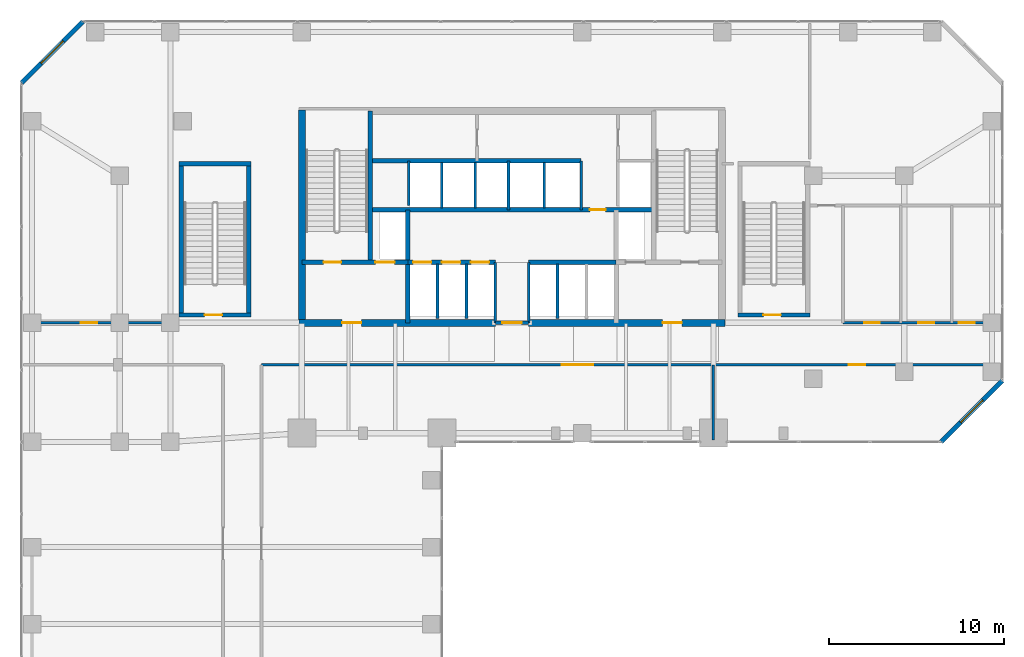
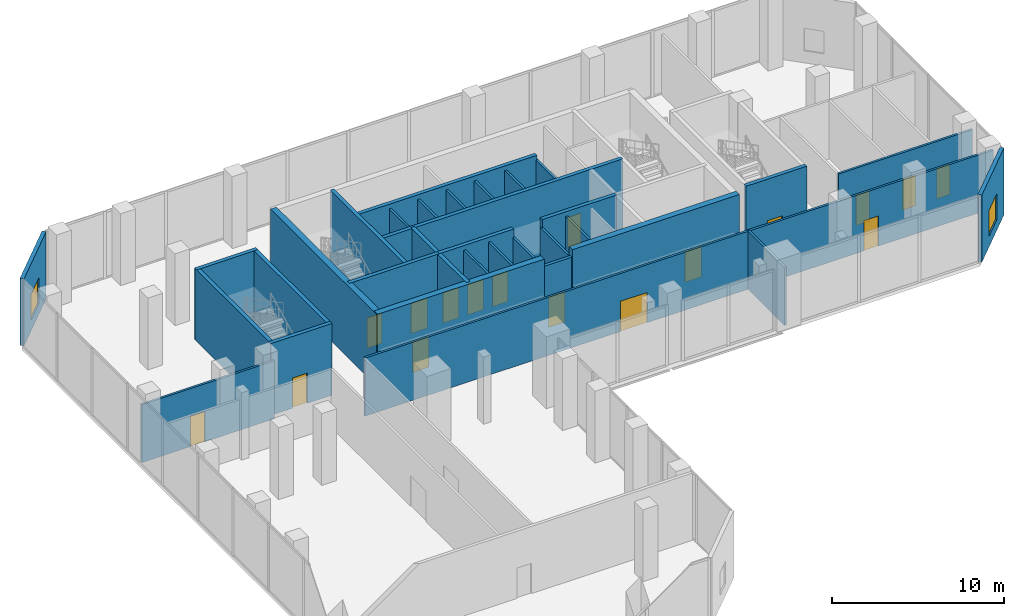
# One storey, part 21 of 24: 33 walls, 17 doors, 2 windows, 19 openings.
"""IFC4 building model written with IfcOpenShell, lengths in metres."""

from ifc_helpers import new_model, si_unit, direction, frame, frame_2d, origin, place, context, subcontext, project, spatial, rectangle, extrude, material, layer, layer_set, type_object, element, fill, save


model = new_model("IFC4")

# Units and contexts
model_context = context("Model", 3, precision=1e-05, world=origin(), true_north=direction((0.0, 1.0)))
body_context = subcontext(model_context, "Body", "Model", "MODEL_VIEW")
ifc_project = project(units=[si_unit("LENGTHUNIT", "METRE"), si_unit("AREAUNIT", "SQUARE_METRE"), si_unit("VOLUMEUNIT", "CUBIC_METRE"), si_unit("PLANEANGLEUNIT", "RADIAN"), si_unit("MASSUNIT", "GRAM", prefix="KILO")], contexts=[model_context])

# Site, building, storey
site_placement = place(None, origin())
site = spatial("IfcSite", under=ifc_project, at=site_placement, CompositionType="ELEMENT")
building_placement = place(site_placement, origin())
building = spatial("IfcBuilding", under=site, at=building_placement, Name="Catumbela Crestline Tower", CompositionType="ELEMENT")
storey_placement = place(building_placement, frame((0.0, 0.0, 6.0)))
storey = spatial("IfcBuildingStorey", under=building, at=storey_placement, Name="L01", CompositionType="ELEMENT", Elevation=6.0)

# Walls
ifc_material_1 = material(Name="Concrete C50/60", Category="concrete")
ifc_layer_1 = layer(ifc_material_1, 0.25, Name="Concrete C50/60")
ifc_layer_set_1 = layer_set([ifc_layer_1], Name="Concrete C50/60")
wall_type_1 = type_object("IfcWallType", Name="CW-250D", PredefinedType="SHEAR", material=ifc_layer_set_1)
wall_1_placement = place(storey_placement, frame((19.9, 34.25, 0.0), z_axis=(0.0, 0.0, 1.0), x_axis=(0.0, 1.0, 0.0)))
element("IfcWall", 1, at=wall_1_placement, inside=storey, type_object=wall_type_1, Name="L01 Structural Core Shear Wall WWEB", PredefinedType="SHEAR", context=body_context, shape_type="SweptSolid", body=[
    extrude(rectangle(XDim=8.65, YDim=0.25, at=frame_2d((4.325, 0.0))), origin(), (0.0, 0.0, 1.0), 5.1),
])
wall_2_placement = place(storey_placement, frame((22.05, 30.8, 0.0), z_axis=(0.0, 0.0, 1.0), x_axis=(0.0, 1.0, 0.0)))
element("IfcWall", 2, at=wall_2_placement, inside=storey, type_object=wall_type_1, Name="L01 Structural Core Shear Wall FFW", PredefinedType="SHEAR", context=body_context, shape_type="SweptSolid", body=[
    extrude(rectangle(XDim=6.45, YDim=0.25, at=frame_2d((3.225, 0.0))), origin(), (0.0, 0.0, 1.0), 5.1),
])

# Wall, openings, doors
wall_3_placement = place(storey_placement, frame((16.0, 34.25, 0.0), z_axis=(0.0, 0.0, 1.0), x_axis=(1.0, 0.0, 0.0)))
wall_3 = element("IfcWall", 3, at=wall_3_placement, inside=storey, type_object=wall_type_1, Name="L01 Structural Core Shear Wall ST1S", PredefinedType="SHEAR", context=body_context, shape_type="SweptSolid", body=[
    extrude(rectangle(XDim=6.05, YDim=0.25, at=frame_2d((3.025, 0.0))), origin(), (0.0, 0.0, 1.0), 5.1),
])
opening_1_placement = place(wall_3_placement, frame((1.25, 0.0, 0.0)))
opening_1 = element("IfcOpeningElement", 4, at=opening_1_placement, cuts=wall_3, Name="Opening DF9-100", PredefinedType="OPENING", context=body_context, shape_type="SweptSolid", body=[
    extrude(rectangle(XDim=1.0, YDim=2.15, at=frame_2d((0.5, 1.075))), frame((0.0, 0.135, 0.0), z_axis=(0.0, -1.0, 0.0), x_axis=(1.0, 0.0, 0.0)), (0.0, 0.0, 1.0), 0.27),
])
opening_2_placement = place(wall_3_placement, frame((4.2, 0.0, 0.0)))
opening_2 = element("IfcOpeningElement", 5, at=opening_2_placement, cuts=wall_3, Name="Opening LD-110", PredefinedType="OPENING", context=body_context, shape_type="SweptSolid", body=[
    extrude(rectangle(XDim=1.1, YDim=2.15, at=frame_2d((0.55, 1.075))), frame((0.0, 0.135, 0.0), z_axis=(0.0, -1.0, 0.0), x_axis=(1.0, 0.0, 0.0)), (0.0, 0.0, 1.0), 0.27),
])
ifc_material_2 = material(Name="Stainless steel EN 1.4401", Category="steel")
door_type_1 = type_object("IfcDoorType", Name="DF9-100", OperationType="NOTDEFINED", PredefinedType="DOOR", material=ifc_material_2)
door_1_placement = place(opening_1_placement, origin())
door_1 = element("IfcDoor", 6, at=door_1_placement, inside=storey, type_object=door_type_1, Name="L01 Interior Door DR-L01-ST01", OperationType="SINGLE_SWING_LEFT", OverallHeight=2.15, OverallWidth=1.0, PredefinedType="DOOR", context=body_context, shape_type="SweptSolid", body=[
    extrude(rectangle(XDim=1.0, YDim=2.15, at=frame_2d((0.5, 1.075))), frame((0.0, 0.025, 0.0), z_axis=(0.0, -1.0, 0.0), x_axis=(1.0, 0.0, 0.0)), (0.0, 0.0, 1.0), 0.05),
])
fill(opening_1, door_1)
door_type_2 = type_object("IfcDoorType", Name="LD-110", OperationType="NOTDEFINED", PredefinedType="DOOR", material=ifc_material_2)
door_2_placement = place(opening_2_placement, origin())
door_2 = element("IfcDoor", 7, at=door_2_placement, inside=storey, type_object=door_type_2, Name="L01 Lift Landing Sliding Door FL-01", OperationType="DOUBLE_DOOR_SLIDING", OverallHeight=2.15, OverallWidth=1.1, PredefinedType="DOOR", context=body_context, shape_type="SweptSolid", body=[
    extrude(rectangle(XDim=1.1, YDim=2.15, at=frame_2d((0.55, 1.075))), frame((0.0, 0.025, 0.0), z_axis=(0.0, -1.0, 0.0), x_axis=(1.0, 0.0, 0.0)), (0.0, 0.0, 1.0), 0.05),
])
fill(opening_2, door_2)

wall_4_placement = place(storey_placement, frame((22.05, 34.25, 0.0), z_axis=(0.0, 0.0, 1.0), x_axis=(1.0, 0.0, 0.0)))
wall_4 = element("IfcWall", 8, at=wall_4_placement, inside=storey, type_object=wall_type_1, Name="L01 Structural Core Shear Wall LIFTS-W", PredefinedType="SHEAR", context=body_context, shape_type="SweptSolid", body=[
    extrude(rectangle(XDim=5.0, YDim=0.25, at=frame_2d((2.5, 0.0))), origin(), (0.0, 0.0, 1.0), 5.1),
])
opening_3_placement = place(wall_4_placement, frame((0.3, 0.0, 0.0)))
opening_3 = element("IfcOpeningElement", 9, at=opening_3_placement, cuts=wall_4, Name="Opening LD-105", PredefinedType="OPENING", context=body_context, shape_type="SweptSolid", body=[
    extrude(rectangle(XDim=1.05, YDim=2.15, at=frame_2d((0.525, 1.075))), frame((0.0, 0.135, 0.0), z_axis=(0.0, -1.0, 0.0), x_axis=(1.0, 0.0, 0.0)), (0.0, 0.0, 1.0), 0.27),
])
opening_4_placement = place(wall_4_placement, frame((1.95, 0.0, 0.0)))
opening_4 = element("IfcOpeningElement", 10, at=opening_4_placement, cuts=wall_4, Name="Opening LD-105", PredefinedType="OPENING", context=body_context, shape_type="SweptSolid", body=[
    extrude(rectangle(XDim=1.05, YDim=2.15, at=frame_2d((0.525, 1.075))), frame((0.0, 0.135, 0.0), z_axis=(0.0, -1.0, 0.0), x_axis=(1.0, 0.0, 0.0)), (0.0, 0.0, 1.0), 0.27),
])
opening_5_placement = place(wall_4_placement, frame((3.6, 0.0, 0.0)))
opening_5 = element("IfcOpeningElement", 11, at=opening_5_placement, cuts=wall_4, Name="Opening LD-105", PredefinedType="OPENING", context=body_context, shape_type="SweptSolid", body=[
    extrude(rectangle(XDim=1.05, YDim=2.15, at=frame_2d((0.525, 1.075))), frame((0.0, 0.135, 0.0), z_axis=(0.0, -1.0, 0.0), x_axis=(1.0, 0.0, 0.0)), (0.0, 0.0, 1.0), 0.27),
])
door_type_3 = type_object("IfcDoorType", Name="LD-105", OperationType="NOTDEFINED", PredefinedType="DOOR", material=ifc_material_2)
door_3_placement = place(opening_3_placement, origin())
door_3 = element("IfcDoor", 12, at=door_3_placement, inside=storey, type_object=door_type_3, Name="L01 Lift Landing Sliding Door PL-L1", OperationType="DOUBLE_DOOR_SLIDING", OverallHeight=2.15, OverallWidth=1.05, PredefinedType="DOOR", context=body_context, shape_type="SweptSolid", body=[
    extrude(rectangle(XDim=1.05, YDim=2.15, at=frame_2d((0.525, 1.075))), frame((0.0, 0.025, 0.0), z_axis=(0.0, -1.0, 0.0), x_axis=(1.0, 0.0, 0.0)), (0.0, 0.0, 1.0), 0.05),
])
fill(opening_3, door_3)
door_4_placement = place(opening_4_placement, origin())
door_4 = element("IfcDoor", 13, at=door_4_placement, inside=storey, type_object=door_type_3, Name="L01 Lift Landing Sliding Door PL-L2", OperationType="DOUBLE_DOOR_SLIDING", OverallHeight=2.15, OverallWidth=1.05, PredefinedType="DOOR", context=body_context, shape_type="SweptSolid", body=[
    extrude(rectangle(XDim=1.05, YDim=2.15, at=frame_2d((0.525, 1.075))), frame((0.0, 0.025, 0.0), z_axis=(0.0, -1.0, 0.0), x_axis=(1.0, 0.0, 0.0)), (0.0, 0.0, 1.0), 0.05),
])
fill(opening_4, door_4)
door_5_placement = place(opening_5_placement, origin())
door_5 = element("IfcDoor", 14, at=door_5_placement, inside=storey, type_object=door_type_3, Name="L01 Lift Landing Sliding Door PL-L3", OperationType="DOUBLE_DOOR_SLIDING", OverallHeight=2.15, OverallWidth=1.05, PredefinedType="DOOR", context=body_context, shape_type="SweptSolid", body=[
    extrude(rectangle(XDim=1.05, YDim=2.15, at=frame_2d((0.525, 1.075))), frame((0.0, 0.025, 0.0), z_axis=(0.0, -1.0, 0.0), x_axis=(1.0, 0.0, 0.0)), (0.0, 0.0, 1.0), 0.05),
])
fill(opening_5, door_5)

# Wall
wall_5_placement = place(storey_placement, frame((28.95, 34.25, 0.0), z_axis=(0.0, 0.0, 1.0), x_axis=(1.0, 0.0, 0.0)))
element("IfcWall", 15, at=wall_5_placement, inside=storey, type_object=wall_type_1, Name="L01 Structural Core Shear Wall LIFTS-E", PredefinedType="SHEAR", context=body_context, shape_type="SweptSolid", body=[
    extrude(rectangle(XDim=5.0, YDim=0.25, at=frame_2d((2.5, 0.0))), origin(), (0.0, 0.0, 1.0), 5.1),
])

# Wall, opening, door
wall_6_placement = place(storey_placement, frame((19.9, 37.25, 0.0), z_axis=(0.0, 0.0, 1.0), x_axis=(1.0, 0.0, 0.0)))
wall_6 = element("IfcWall", 16, at=wall_6_placement, inside=storey, type_object=wall_type_1, Name="L01 Structural Core Shear Wall LIFTN", PredefinedType="SHEAR", context=body_context, shape_type="SweptSolid", body=[
    extrude(rectangle(XDim=16.2, YDim=0.25, at=frame_2d((8.1, 0.0))), origin(), (0.0, 0.0, 1.0), 5.1),
])
opening_6_placement = place(wall_6_placement, frame((12.55, 0.0, 0.0)))
opening_6 = element("IfcOpeningElement", 17, at=opening_6_placement, cuts=wall_6, Name="Opening DF9-090", PredefinedType="OPENING", context=body_context, shape_type="SweptSolid", body=[
    extrude(rectangle(XDim=0.9, YDim=2.15, at=frame_2d((0.45, 1.075))), frame((0.0, 0.135, 0.0), z_axis=(0.0, -1.0, 0.0), x_axis=(1.0, 0.0, 0.0)), (0.0, 0.0, 1.0), 0.27),
])
door_type_4 = type_object("IfcDoorType", Name="DF9-090", OperationType="NOTDEFINED", PredefinedType="DOOR", material=ifc_material_2)
door_6_placement = place(opening_6_placement, origin())
door_6 = element("IfcDoor", 18, at=door_6_placement, inside=storey, type_object=door_type_4, Name="L01 Interior Door DR-L01-CPAS1", OperationType="SINGLE_SWING_LEFT", OverallHeight=2.15, OverallWidth=0.9, PredefinedType="DOOR", context=body_context, shape_type="SweptSolid", body=[
    extrude(rectangle(XDim=0.9, YDim=2.15, at=frame_2d((0.45, 1.075))), frame((0.0, 0.025, 0.0), z_axis=(0.0, -1.0, 0.0), x_axis=(1.0, 0.0, 0.0)), (0.0, 0.0, 1.0), 0.05),
])
fill(opening_6, door_6)

# Walls
wall_7_placement = place(storey_placement, frame((19.9, 40.05, 0.0), z_axis=(0.0, 0.0, 1.0), x_axis=(1.0, 0.0, 0.0)))
element("IfcWall", 19, at=wall_7_placement, inside=storey, type_object=wall_type_1, Name="L01 Structural Core Shear Wall COREN", PredefinedType="SHEAR", context=body_context, shape_type="SweptSolid", body=[
    extrude(rectangle(XDim=12.05, YDim=0.25, at=frame_2d((6.025, 0.0))), origin(), (0.0, 0.0, 1.0), 5.1),
])
for number, where, z_axis, x_axis, name in (
    (20, (9.12, 31.15, 0.0), (0.0, 0.0, 1.0), (0.0, 1.0, 0.0), "L01 Structural Core Shear Wall ST3W"),
    (21, (12.98, 31.15, 0.0), (0.0, 0.0, 1.0), (0.0, 1.0, 0.0), "L01 Structural Core Shear Wall ST3E"),
):
    element("IfcWall", number, at=place(storey_placement, frame(where, z_axis=z_axis, x_axis=x_axis)), inside=storey, type_object=wall_type_1, Name=name, PredefinedType="SHEAR", context=body_context, shape_type="SweptSolid", body=[
        extrude(rectangle(XDim=8.8, YDim=0.25, at=frame_2d((4.4, 0.0))), origin(), (0.0, 0.0, 1.0), 5.1),
    ])
wall_8_placement = place(storey_placement, frame((9.0, 39.88, 0.0), z_axis=(0.0, 0.0, 1.0), x_axis=(1.0, 0.0, 0.0)))
element("IfcWall", 22, at=wall_8_placement, inside=storey, type_object=wall_type_1, Name="L01 Structural Core Shear Wall ST3N", PredefinedType="SHEAR", context=body_context, shape_type="SweptSolid", body=[
    extrude(rectangle(XDim=4.1, YDim=0.25, at=frame_2d((2.05, 0.0))), origin(), (0.0, 0.0, 1.0), 5.1),
])

# Wall, opening, door
wall_9_placement = place(storey_placement, frame((9.0, 31.25, 0.0), z_axis=(0.0, 0.0, 1.0), x_axis=(1.0, 0.0, 0.0)))
wall_9 = element("IfcWall", 23, at=wall_9_placement, inside=storey, type_object=wall_type_1, Name="L01 Structural Core Shear Wall ST3S", PredefinedType="SHEAR", context=body_context, shape_type="SweptSolid", body=[
    extrude(rectangle(XDim=4.1, YDim=0.25, at=frame_2d((2.05, 0.0))), origin(), (0.0, 0.0, 1.0), 5.1),
])
opening_7_placement = place(wall_9_placement, frame((1.45, 0.0, 0.0)))
opening_7 = element("IfcOpeningElement", 24, at=opening_7_placement, cuts=wall_9, Name="Opening DF9-100", PredefinedType="OPENING", context=body_context, shape_type="SweptSolid", body=[
    extrude(rectangle(XDim=1.0, YDim=2.15, at=frame_2d((0.5, 1.075))), frame((0.0, 0.135, 0.0), z_axis=(0.0, -1.0, 0.0), x_axis=(1.0, 0.0, 0.0)), (0.0, 0.0, 1.0), 0.27),
])
door_7_placement = place(opening_7_placement, origin())
door_7 = element("IfcDoor", 25, at=door_7_placement, inside=storey, type_object=door_type_1, Name="L01 Interior Door DR-L01-ST03", OperationType="SINGLE_SWING_LEFT", OverallHeight=2.15, OverallWidth=1.0, PredefinedType="DOOR", context=body_context, shape_type="SweptSolid", body=[
    extrude(rectangle(XDim=1.0, YDim=2.15, at=frame_2d((0.5, 1.075))), frame((0.0, 0.025, 0.0), z_axis=(0.0, -1.0, 0.0), x_axis=(1.0, 0.0, 0.0)), (0.0, 0.0, 1.0), 0.05),
])
fill(opening_7, door_7)

wall_10_placement = place(storey_placement, frame((40.9, 31.25, 0.0), z_axis=(0.0, 0.0, 1.0), x_axis=(1.0, 0.0, 0.0)))
wall_10 = element("IfcWall", 26, at=wall_10_placement, inside=storey, type_object=wall_type_1, Name="L01 Structural Core Shear Wall ST4S", PredefinedType="SHEAR", context=body_context, shape_type="SweptSolid", body=[
    extrude(rectangle(XDim=4.1, YDim=0.25, at=frame_2d((2.05, 0.0))), origin(), (0.0, 0.0, 1.0), 5.1),
])
opening_8_placement = place(wall_10_placement, frame((1.45, 0.0, 0.0)))
opening_8 = element("IfcOpeningElement", 27, at=opening_8_placement, cuts=wall_10, Name="Opening DF9-100", PredefinedType="OPENING", context=body_context, shape_type="SweptSolid", body=[
    extrude(rectangle(XDim=1.0, YDim=2.15, at=frame_2d((0.5, 1.075))), frame((0.0, 0.135, 0.0), z_axis=(0.0, -1.0, 0.0), x_axis=(1.0, 0.0, 0.0)), (0.0, 0.0, 1.0), 0.27),
])
door_8_placement = place(opening_8_placement, origin())
door_8 = element("IfcDoor", 28, at=door_8_placement, inside=storey, type_object=door_type_1, Name="L01 Interior Door DR-L01-ST04", OperationType="SINGLE_SWING_RIGHT", OverallHeight=2.15, OverallWidth=1.0, PredefinedType="DOOR", context=body_context, shape_type="SweptSolid", body=[
    extrude(rectangle(XDim=1.0, YDim=2.15, at=frame_2d((0.5, 1.075))), frame((0.0, 0.025, 0.0), z_axis=(0.0, -1.0, 0.0), x_axis=(1.0, 0.0, 0.0)), (0.0, 0.0, 1.0), 0.05),
])
fill(opening_8, door_8)

# Wall
ifc_material_3 = material(Name="Concrete C60/75", Category="concrete")
ifc_layer_2 = layer(ifc_material_3, 0.4, Name="Concrete C60/75")
ifc_layer_set_2 = layer_set([ifc_layer_2], Name="Concrete C60/75")
wall_type_2 = type_object("IfcWallType", Name="CW-400A", PredefinedType="SHEAR", material=ifc_layer_set_2)
wall_11_placement = place(storey_placement, frame((16.0, 30.65, 0.0), z_axis=(0.0, 0.0, 1.0), x_axis=(0.0, 1.0, 0.0)))
element("IfcWall", 29, at=wall_11_placement, inside=storey, type_object=wall_type_2, Name="L01 Structural Core Shear Wall W", PredefinedType="SHEAR", context=body_context, shape_type="SweptSolid", body=[
    extrude(rectangle(XDim=12.3, YDim=0.4, at=frame_2d((6.15, 0.0))), origin(), (0.0, 0.0, 1.0), 5.1),
])

# Wall, opening, door
wall_12_placement = place(storey_placement, frame((15.85, 30.8, 0.0), z_axis=(0.0, 0.0, 1.0), x_axis=(1.0, 0.0, 0.0)))
wall_12 = element("IfcWall", 30, at=wall_12_placement, inside=storey, type_object=wall_type_2, Name="L01 Structural Core Shear Wall SW", PredefinedType="SHEAR", context=body_context, shape_type="SweptSolid", body=[
    extrude(rectangle(XDim=11.2, YDim=0.4, at=frame_2d((5.6, 0.0))), origin(), (0.0, 0.0, 1.0), 5.1),
])
opening_9_placement = place(wall_12_placement, frame((2.45, 0.0, 0.0)))
opening_9 = element("IfcOpeningElement", 31, at=opening_9_placement, cuts=wall_12, Name="Opening DF9-110", PredefinedType="OPENING", context=body_context, shape_type="SweptSolid", body=[
    extrude(rectangle(XDim=1.1, YDim=2.15, at=frame_2d((0.55, 1.075))), frame((0.0, 0.21, 0.0), z_axis=(0.0, -1.0, 0.0), x_axis=(1.0, 0.0, 0.0)), (0.0, 0.0, 1.0), 0.42),
])
door_type_5 = type_object("IfcDoorType", Name="DF9-110", OperationType="NOTDEFINED", PredefinedType="DOOR", material=ifc_material_2)
door_9_placement = place(opening_9_placement, origin())
door_9 = element("IfcDoor", 32, at=door_9_placement, inside=storey, type_object=door_type_5, Name="L01 Interior Door DR-L01-FFW-S", OperationType="SINGLE_SWING_LEFT", OverallHeight=2.15, OverallWidth=1.1, PredefinedType="DOOR", context=body_context, shape_type="SweptSolid", body=[
    extrude(rectangle(XDim=1.1, YDim=2.15, at=frame_2d((0.55, 1.075))), frame((0.0, 0.025, 0.0), z_axis=(0.0, -1.0, 0.0), x_axis=(1.0, 0.0, 0.0)), (0.0, 0.0, 1.0), 0.05),
])
fill(opening_9, door_9)

wall_13_placement = place(storey_placement, frame((28.95, 30.8, 0.0), z_axis=(0.0, 0.0, 1.0), x_axis=(1.0, 0.0, 0.0)))
wall_13 = element("IfcWall", 33, at=wall_13_placement, inside=storey, type_object=wall_type_2, Name="L01 Structural Core Shear Wall SE", PredefinedType="SHEAR", context=body_context, shape_type="SweptSolid", body=[
    extrude(rectangle(XDim=11.2, YDim=0.4, at=frame_2d((5.6, 0.0))), origin(), (0.0, 0.0, 1.0), 5.1),
])
opening_10_placement = place(wall_13_placement, frame((7.65, 0.0, 0.0)))
opening_10 = element("IfcOpeningElement", 34, at=opening_10_placement, cuts=wall_13, Name="Opening DF9-110", PredefinedType="OPENING", context=body_context, shape_type="SweptSolid", body=[
    extrude(rectangle(XDim=1.1, YDim=2.15, at=frame_2d((0.55, 1.075))), frame((0.0, 0.21, 0.0), z_axis=(0.0, -1.0, 0.0), x_axis=(1.0, 0.0, 0.0)), (0.0, 0.0, 1.0), 0.42),
])
door_10_placement = place(opening_10_placement, origin())
door_10 = element("IfcDoor", 35, at=door_10_placement, inside=storey, type_object=door_type_5, Name="L01 Interior Door DR-L01-FFE-S", OperationType="SINGLE_SWING_RIGHT", OverallHeight=2.15, OverallWidth=1.1, PredefinedType="DOOR", context=body_context, shape_type="SweptSolid", body=[
    extrude(rectangle(XDim=1.1, YDim=2.15, at=frame_2d((0.55, 1.075))), frame((0.0, 0.025, 0.0), z_axis=(0.0, -1.0, 0.0), x_axis=(1.0, 0.0, 0.0)), (0.0, 0.0, 1.0), 0.05),
])
fill(opening_10, door_10)

ifc_material_4 = material(Name="Acoustic gypsum and mineral-wool partition")
ifc_layer_3 = layer(ifc_material_4, 0.2, Name="Acoustic gypsum and mineral-wool partition")
ifc_layer_set_3 = layer_set([ifc_layer_3], Name="Acoustic gypsum and mineral-wool partition")
wall_type_3 = type_object("IfcWallType", Name="WC-200", PredefinedType="PARTITIONING", material=ifc_layer_set_3)
wall_14_placement = place(storey_placement, frame((27.05, 30.8, 0.0), z_axis=(0.0, 0.0, 1.0), x_axis=(1.0, 0.0, 0.0)))
wall_14 = element("IfcWall", 36, at=wall_14_placement, inside=storey, type_object=wall_type_3, Name="L01 Interior Partition PW-L01-CLOBS", PredefinedType="PARTITIONING", context=body_context, shape_type="SweptSolid", body=[
    extrude(rectangle(XDim=1.9, YDim=0.2, at=frame_2d((0.95, 0.0))), origin(), (0.0, 0.0, 1.0), 4.51),
])
opening_11_placement = place(wall_14_placement, frame((0.4, 0.0, 0.0)))
opening_11 = element("IfcOpeningElement", 37, at=opening_11_placement, cuts=wall_14, Name="Opening DF9-110", PredefinedType="OPENING", context=body_context, shape_type="SweptSolid", body=[
    extrude(rectangle(XDim=1.1, YDim=2.15, at=frame_2d((0.55, 1.075))), frame((0.0, 0.11, 0.0), z_axis=(0.0, -1.0, 0.0), x_axis=(1.0, 0.0, 0.0)), (0.0, 0.0, 1.0), 0.22),
])
door_11_placement = place(opening_11_placement, origin())
door_11 = element("IfcDoor", 38, at=door_11_placement, inside=storey, type_object=door_type_5, Name="L01 Interior Door DR-L01-CLOBS", OperationType="SINGLE_SWING_LEFT", OverallHeight=2.15, OverallWidth=1.1, PredefinedType="DOOR", context=body_context, shape_type="SweptSolid", body=[
    extrude(rectangle(XDim=1.1, YDim=2.15, at=frame_2d((0.55, 1.075))), frame((0.0, 0.025, 0.0), z_axis=(0.0, -1.0, 0.0), x_axis=(1.0, 0.0, 0.0)), (0.0, 0.0, 1.0), 0.05),
])
fill(opening_11, door_11)

# Wall, opening, window
ifc_material_5 = material(Name="Angolan grey-ochre granite", Category="masonry")
ifc_layer_4 = layer(ifc_material_5, 0.25, Name="Angolan grey-ochre granite")
ifc_layer_set_4 = layer_set([ifc_layer_4], Name="Angolan grey-ochre granite")
wall_type_4 = type_object("IfcWallType", Name="WE-250", PredefinedType="STANDARD", material=ifc_layer_set_4)
wall_15_placement = place(storey_placement, frame((52.5, 24.0, 0.0), z_axis=(0.0, 0.0, 1.0), x_axis=(0.707106781187, 0.707106781187, 0.0)))
wall_15 = element("IfcWall", 39, at=wall_15_placement, inside=storey, type_object=wall_type_4, Name="L01 Granite Punched Window Wall 4-1", PredefinedType="STANDARD", context=body_context, shape_type="SweptSolid", body=[
    extrude(rectangle(XDim=4.9497, YDim=0.25, at=frame_2d((2.4748, 0.0))), origin(), (0.0, 0.0, 1.0), 4.77),
])
opening_12_placement = place(wall_15_placement, frame((1.5749, 0.0, 0.75)))
opening_12 = element("IfcOpeningElement", 40, at=opening_12_placement, cuts=wall_15, Name="Opening WN-01", PredefinedType="OPENING", context=body_context, shape_type="SweptSolid", body=[
    extrude(rectangle(XDim=1.8, YDim=1.85, at=frame_2d((0.9, 0.925))), frame((0.0, 0.135, 0.0), z_axis=(0.0, -1.0, 0.0), x_axis=(1.0, 0.0, 0.0)), (0.0, 0.0, 1.0), 0.27),
])
ifc_material_6 = material(Name="Low-E laminated solar-control double glazing", Category="glass")
window_type = type_object("IfcWindowType", Name="WF-1800", PartitioningType="SINGLE_PANEL", PredefinedType="WINDOW", material=ifc_material_6)
window_1_placement = place(opening_12_placement, origin())
window_1 = element("IfcWindow", 41, at=window_1_placement, inside=storey, type_object=window_type, Name="L01 Facade Vision Window 27", OverallHeight=1.85, OverallWidth=1.8, PartitioningType="SINGLE_PANEL", PredefinedType="WINDOW", context=body_context, shape_type="SweptSolid", body=[
    extrude(rectangle(XDim=1.8, YDim=1.85, at=frame_2d((0.9, 0.925))), frame((0.0, 0.03, 0.0), z_axis=(0.0, -1.0, 0.0), x_axis=(1.0, 0.0, 0.0)), (0.0, 0.0, 1.0), 0.06),
])
fill(opening_12, window_1)

wall_16_placement = place(storey_placement, frame((3.5, 48.0, 0.0), z_axis=(0.0, 0.0, 1.0), x_axis=(-0.707106781187, -0.707106781187, 0.0)))
wall_16 = element("IfcWall", 42, at=wall_16_placement, inside=storey, type_object=wall_type_4, Name="L01 Granite Punched Window Wall 8-1", PredefinedType="STANDARD", context=body_context, shape_type="SweptSolid", body=[
    extrude(rectangle(XDim=4.9497, YDim=0.25, at=frame_2d((2.4748, 0.0))), origin(), (0.0, 0.0, 1.0), 4.77),
])
opening_13_placement = place(wall_16_placement, frame((1.5749, 0.0, 0.75)))
opening_13 = element("IfcOpeningElement", 43, at=opening_13_placement, cuts=wall_16, Name="Opening WN-01", PredefinedType="OPENING", context=body_context, shape_type="SweptSolid", body=[
    extrude(rectangle(XDim=1.8, YDim=1.85, at=frame_2d((0.9, 0.925))), frame((0.0, 0.135, 0.0), z_axis=(0.0, -1.0, 0.0), x_axis=(1.0, 0.0, 0.0)), (0.0, 0.0, 1.0), 0.27),
])
window_2_placement = place(opening_13_placement, origin())
window_2 = element("IfcWindow", 44, at=window_2_placement, inside=storey, type_object=window_type, Name="L01 Facade Vision Window 29", OverallHeight=1.85, OverallWidth=1.8, PartitioningType="SINGLE_PANEL", PredefinedType="WINDOW", context=body_context, shape_type="SweptSolid", body=[
    extrude(rectangle(XDim=1.8, YDim=1.85, at=frame_2d((0.9, 0.925))), frame((0.0, 0.03, 0.0), z_axis=(0.0, -1.0, 0.0), x_axis=(1.0, 0.0, 0.0)), (0.0, 0.0, 1.0), 0.06),
])
fill(opening_13, window_2)

# Wall, openings, doors
ifc_layer_5 = layer(ifc_material_4, 0.15, Name="Acoustic gypsum and mineral-wool partition")
ifc_layer_set_5 = layer_set([ifc_layer_5], Name="Acoustic gypsum and mineral-wool partition")
wall_type_5 = type_object("IfcWallType", Name="WP-150", PredefinedType="PARTITIONING", material=ifc_layer_set_5)
wall_17_placement = place(storey_placement, frame((46.9, 30.8, 0.0), z_axis=(0.0, 0.0, 1.0), x_axis=(1.0, 0.0, 0.0)))
wall_17 = element("IfcWall", 45, at=wall_17_placement, inside=storey, type_object=wall_type_5, Name="L01 Interior Partition PW-L01-WC1", PredefinedType="PARTITIONING", context=body_context, shape_type="SweptSolid", body=[
    extrude(rectangle(XDim=9.0, YDim=0.15, at=frame_2d((4.5, 0.0))), origin(), (0.0, 0.0, 1.0), 4.12),
])
opening_14_placement = place(wall_17_placement, frame((1.2, 0.0, 0.0)))
opening_14 = element("IfcOpeningElement", 46, at=opening_14_placement, cuts=wall_17, Name="Opening DI-090", PredefinedType="OPENING", context=body_context, shape_type="SweptSolid", body=[
    extrude(rectangle(XDim=0.9, YDim=2.15, at=frame_2d((0.45, 1.075))), frame((0.0, 0.085, 0.0), z_axis=(0.0, -1.0, 0.0), x_axis=(1.0, 0.0, 0.0)), (0.0, 0.0, 1.0), 0.17),
])
opening_15_placement = place(wall_17_placement, frame((4.3, 0.0, 0.0)))
opening_15 = element("IfcOpeningElement", 47, at=opening_15_placement, cuts=wall_17, Name="Opening DI-090", PredefinedType="OPENING", context=body_context, shape_type="SweptSolid", body=[
    extrude(rectangle(XDim=0.9, YDim=2.15, at=frame_2d((0.45, 1.075))), frame((0.0, 0.085, 0.0), z_axis=(0.0, -1.0, 0.0), x_axis=(1.0, 0.0, 0.0)), (0.0, 0.0, 1.0), 0.17),
])
opening_16_placement = place(wall_17_placement, frame((6.61, 0.0, 0.0)))
opening_16 = element("IfcOpeningElement", 48, at=opening_16_placement, cuts=wall_17, Name="Opening DI-090", PredefinedType="OPENING", context=body_context, shape_type="SweptSolid", body=[
    extrude(rectangle(XDim=0.9, YDim=2.15, at=frame_2d((0.45, 1.075))), frame((0.0, 0.085, 0.0), z_axis=(0.0, -1.0, 0.0), x_axis=(1.0, 0.0, 0.0)), (0.0, 0.0, 1.0), 0.17),
])
ifc_material_7 = material(Name="Aluminium alloy AW-6060-T66", Category="aluminium")
door_type_6 = type_object("IfcDoorType", Name="DI-090", OperationType="NOTDEFINED", PredefinedType="DOOR", material=ifc_material_7)
door_12_placement = place(opening_14_placement, origin())
door_12 = element("IfcDoor", 49, at=door_12_placement, inside=storey, type_object=door_type_6, Name="L01 Interior Door DR-L01-WC1", OperationType="SINGLE_SWING_LEFT", OverallHeight=2.15, OverallWidth=0.9, PredefinedType="DOOR", context=body_context, shape_type="SweptSolid", body=[
    extrude(rectangle(XDim=0.9, YDim=2.15, at=frame_2d((0.45, 1.075))), frame((0.0, 0.025, 0.0), z_axis=(0.0, -1.0, 0.0), x_axis=(1.0, 0.0, 0.0)), (0.0, 0.0, 1.0), 0.05),
])
fill(opening_14, door_12)
door_13_placement = place(opening_15_placement, origin())
door_13 = element("IfcDoor", 50, at=door_13_placement, inside=storey, type_object=door_type_6, Name="L01 Interior Door DR-L01-AWC", OperationType="SINGLE_SWING_RIGHT", OverallHeight=2.15, OverallWidth=0.9, PredefinedType="DOOR", context=body_context, shape_type="SweptSolid", body=[
    extrude(rectangle(XDim=0.9, YDim=2.15, at=frame_2d((0.45, 1.075))), frame((0.0, 0.025, 0.0), z_axis=(0.0, -1.0, 0.0), x_axis=(1.0, 0.0, 0.0)), (0.0, 0.0, 1.0), 0.05),
])
fill(opening_15, door_13)
door_14_placement = place(opening_16_placement, origin())
door_14 = element("IfcDoor", 51, at=door_14_placement, inside=storey, type_object=door_type_6, Name="L01 Interior Door DR-L01-FAM", OperationType="SINGLE_SWING_LEFT", OverallHeight=2.15, OverallWidth=0.9, PredefinedType="DOOR", context=body_context, shape_type="SweptSolid", body=[
    extrude(rectangle(XDim=0.9, YDim=2.15, at=frame_2d((0.45, 1.075))), frame((0.0, 0.025, 0.0), z_axis=(0.0, -1.0, 0.0), x_axis=(1.0, 0.0, 0.0)), (0.0, 0.0, 1.0), 0.05),
])
fill(opening_16, door_14)

# Wall, opening, door
wall_18_placement = place(storey_placement, frame((0.1, 30.8, 0.0), z_axis=(0.0, 0.0, 1.0), x_axis=(1.0, 0.0, 0.0)))
wall_18 = element("IfcWall", 52, at=wall_18_placement, inside=storey, type_object=wall_type_5, Name="L01 Interior Partition PW-L01-NW1", PredefinedType="PARTITIONING", context=body_context, shape_type="SweptSolid", body=[
    extrude(rectangle(XDim=8.9, YDim=0.15, at=frame_2d((4.45, 0.0))), origin(), (0.0, 0.0, 1.0), 4.12),
])
opening_17_placement = place(wall_18_placement, frame((3.2684, 0.0, 0.0)))
opening_17 = element("IfcOpeningElement", 53, at=opening_17_placement, cuts=wall_18, Name="Opening DF6-095", PredefinedType="OPENING", context=body_context, shape_type="SweptSolid", body=[
    extrude(rectangle(XDim=0.95, YDim=2.15, at=frame_2d((0.475, 1.075))), frame((0.0, 0.085, 0.0), z_axis=(0.0, -1.0, 0.0), x_axis=(1.0, 0.0, 0.0)), (0.0, 0.0, 1.0), 0.17),
])
door_type_7 = type_object("IfcDoorType", Name="DF6-095", OperationType="NOTDEFINED", PredefinedType="DOOR", material=ifc_material_7)
door_15_placement = place(opening_17_placement, origin())
door_15 = element("IfcDoor", 54, at=door_15_placement, inside=storey, type_object=door_type_7, Name="L01 Interior Door DR-L01-NW1", OperationType="SINGLE_SWING_LEFT", OverallHeight=2.15, OverallWidth=0.95, PredefinedType="DOOR", context=body_context, shape_type="SweptSolid", body=[
    extrude(rectangle(XDim=0.95, YDim=2.15, at=frame_2d((0.475, 1.075))), frame((0.0, 0.025, 0.0), z_axis=(0.0, -1.0, 0.0), x_axis=(1.0, 0.0, 0.0)), (0.0, 0.0, 1.0), 0.05),
])
fill(opening_17, door_15)

# Wall, openings, doors
wall_19_placement = place(storey_placement, frame((13.7, 28.4, 0.0), z_axis=(0.0, 0.0, 1.0), x_axis=(1.0, 0.0, 0.0)))
wall_19 = element("IfcWall", 55, at=wall_19_placement, inside=storey, type_object=wall_type_5, Name="L01 Interior Partition PW-L01-R1", PredefinedType="PARTITIONING", context=body_context, shape_type="SweptSolid", body=[
    extrude(rectangle(XDim=42.2, YDim=0.15, at=frame_2d((21.1, 0.0))), origin(), (0.0, 0.0, 1.0), 4.12),
])
opening_18_placement = place(wall_19_placement, frame((17.15, 0.0, 0.0)))
opening_18 = element("IfcOpeningElement", 56, at=opening_18_placement, cuts=wall_19, Name="Opening DD-180", PredefinedType="OPENING", context=body_context, shape_type="SweptSolid", body=[
    extrude(rectangle(XDim=1.8, YDim=2.15, at=frame_2d((0.9, 1.075))), frame((0.0, 0.085, 0.0), z_axis=(0.0, -1.0, 0.0), x_axis=(1.0, 0.0, 0.0)), (0.0, 0.0, 1.0), 0.17),
])
opening_19_placement = place(wall_19_placement, frame((33.525, 0.0, 0.0)))
opening_19 = element("IfcOpeningElement", 57, at=opening_19_placement, cuts=wall_19, Name="Opening DF6-095", PredefinedType="OPENING", context=body_context, shape_type="SweptSolid", body=[
    extrude(rectangle(XDim=0.95, YDim=2.15, at=frame_2d((0.475, 1.075))), frame((0.0, 0.085, 0.0), z_axis=(0.0, -1.0, 0.0), x_axis=(1.0, 0.0, 0.0)), (0.0, 0.0, 1.0), 0.17),
])
door_type_8 = type_object("IfcDoorType", Name="DD-180", OperationType="NOTDEFINED", PredefinedType="DOOR", material=ifc_material_7)
door_16_placement = place(opening_18_placement, origin())
door_16 = element("IfcDoor", 58, at=door_16_placement, inside=storey, type_object=door_type_8, Name="L01 Interior Door DR-L01-R1", OperationType="DOUBLE_DOOR_SINGLE_SWING", OverallHeight=2.15, OverallWidth=1.8, PredefinedType="DOOR", context=body_context, shape_type="SweptSolid", body=[
    extrude(rectangle(XDim=1.8, YDim=2.15, at=frame_2d((0.9, 1.075))), frame((0.0, 0.025, 0.0), z_axis=(0.0, -1.0, 0.0), x_axis=(1.0, 0.0, 0.0)), (0.0, 0.0, 1.0), 0.05),
])
fill(opening_18, door_16)
door_17_placement = place(opening_19_placement, origin())
door_17 = element("IfcDoor", 59, at=door_17_placement, inside=storey, type_object=door_type_7, Name="L01 Interior Door DR-L01-KIT", OperationType="SINGLE_SWING_LEFT", OverallHeight=2.15, OverallWidth=0.95, PredefinedType="DOOR", context=body_context, shape_type="SweptSolid", body=[
    extrude(rectangle(XDim=0.95, YDim=2.15, at=frame_2d((0.475, 1.075))), frame((0.0, 0.025, 0.0), z_axis=(0.0, -1.0, 0.0), x_axis=(1.0, 0.0, 0.0)), (0.0, 0.0, 1.0), 0.05),
])
fill(opening_19, door_17)

# Walls
wall_20_placement = place(storey_placement, frame((39.5, 24.1, 0.0), z_axis=(0.0, 0.0, 1.0), x_axis=(0.0, 1.0, 0.0)))
element("IfcWall", 60, at=wall_20_placement, inside=storey, type_object=wall_type_5, Name="L01 Interior Partition PW-L01-R1E", PredefinedType="PARTITIONING", context=body_context, shape_type="SweptSolid", body=[
    extrude(rectangle(XDim=4.3, YDim=0.15, at=frame_2d((2.15, 0.0))), origin(), (0.0, 0.0, 1.0), 4.12),
])
ifc_layer_6 = layer(ifc_material_4, 0.15, Name="Acoustic gypsum and mineral-wool partition")
ifc_layer_set_6 = layer_set([ifc_layer_6], Name="Acoustic gypsum and mineral-wool partition")
wall_type_6 = type_object("IfcWallType", Name="WS-150", PredefinedType="PLUMBINGWALL", material=ifc_layer_set_6)
for number, where, z_axis, x_axis, name in (
    (61, (27.05, 30.8, 0.0), (0.0, 0.0, 1.0), (0.0, 1.0, 0.0), "L01 Interior Partition PW-L01-THRW"),
    (62, (28.95, 30.8, 0.0), (0.0, 0.0, 1.0), (0.0, 1.0, 0.0), "L01 Interior Partition PW-L01-THRE"),
):
    element("IfcWall", number, at=place(storey_placement, frame(where, z_axis=z_axis, x_axis=x_axis)), inside=storey, type_object=wall_type_6, Name=name, PredefinedType="PLUMBINGWALL", context=body_context, shape_type="SweptSolid", body=[
        extrude(rectangle(XDim=3.45, YDim=0.15, at=frame_2d((1.725, 0.0))), origin(), (0.0, 0.0, 1.0), 4.51),
    ])
for number, where, z_axis, x_axis, name in (
    (63, (23.75, 31.05, 0.0), (0.0, 0.0, 1.0), (0.0, 1.0, 0.0), "L01 Interior Partition PW-L01-SHL1"),
    (64, (25.4, 31.05, 0.0), (0.0, 0.0, 1.0), (0.0, 1.0, 0.0), "L01 Interior Partition PW-L01-SHL2"),
    (65, (30.6, 31.05, 0.0), (0.0, 0.0, 1.0), (0.0, 1.0, 0.0), "L01 Interior Partition PW-L01-SHM1"),
):
    element("IfcWall", number, at=place(storey_placement, frame(where, z_axis=z_axis, x_axis=x_axis)), inside=storey, type_object=wall_type_6, Name=name, PredefinedType="PLUMBINGWALL", context=body_context, shape_type="SweptSolid", body=[
        extrude(rectangle(XDim=3.1, YDim=0.15, at=frame_2d((1.55, 0.0))), origin(), (0.0, 0.0, 1.0), 4.77),
    ])
wall_21_placement = place(storey_placement, frame((22.1, 37.4897, 0.0), z_axis=(0.0, 0.0, 1.0), x_axis=(0.0, 1.0, 0.0)))
element("IfcWall", 66, at=wall_21_placement, inside=storey, type_object=wall_type_6, Name="L01 Interior Partition PW-L01-SHH0", PredefinedType="PLUMBINGWALL", context=body_context, shape_type="SweptSolid", body=[
    extrude(rectangle(XDim=2.5603, YDim=0.15, at=frame_2d((1.2801, 0.0))), origin(), (0.0, 0.0, 1.0), 4.77),
])
wall_22_placement = place(storey_placement, frame((27.8, 37.25, 0.0), z_axis=(0.0, 0.0, 1.0), x_axis=(0.0, 1.0, 0.0)))
element("IfcWall", 67, at=wall_22_placement, inside=storey, type_object=wall_type_6, Name="L01 Interior Partition PW-L01-SHH3", PredefinedType="PLUMBINGWALL", context=body_context, shape_type="SweptSolid", body=[
    extrude(rectangle(XDim=2.8, YDim=0.15, at=frame_2d((1.4, 0.0))), origin(), (0.0, 0.0, 1.0), 4.77),
])
for number, where, z_axis, x_axis, name in (
    (68, (24.0, 37.35, 0.0), (0.0, 0.0, 1.0), (0.0, 1.0, 0.0), "L01 Interior Partition PW-L01-SHH1"),
    (69, (25.9, 37.35, 0.0), (0.0, 0.0, 1.0), (0.0, 1.0, 0.0), "L01 Interior Partition PW-L01-SHH2"),
):
    element("IfcWall", number, at=place(storey_placement, frame(where, z_axis=z_axis, x_axis=x_axis)), inside=storey, type_object=wall_type_6, Name=name, PredefinedType="PLUMBINGWALL", context=body_context, shape_type="SweptSolid", body=[
        extrude(rectangle(XDim=2.6, YDim=0.15, at=frame_2d((1.3, 0.0))), origin(), (0.0, 0.0, 1.0), 4.77),
    ])
wall_23_placement = place(storey_placement, frame((31.95, 37.25, 0.0), z_axis=(0.0, 0.0, 1.0), x_axis=(0.0, 1.0, 0.0)))
element("IfcWall", 70, at=wall_23_placement, inside=storey, type_object=wall_type_6, Name="L01 Interior Partition PW-L01-SHEX2E", PredefinedType="PLUMBINGWALL", context=body_context, shape_type="SweptSolid", body=[
    extrude(rectangle(XDim=2.8, YDim=0.15, at=frame_2d((1.4, 0.0))), origin(), (0.0, 0.0, 1.0), 4.77),
])
wall_24_placement = place(storey_placement, frame((29.85, 37.35, 0.0), z_axis=(0.0, 0.0, 1.0), x_axis=(0.0, 1.0, 0.0)))
element("IfcWall", 71, at=wall_24_placement, inside=storey, type_object=wall_type_6, Name="L01 Interior Partition PW-L01-SHEX1", PredefinedType="PLUMBINGWALL", context=body_context, shape_type="SweptSolid", body=[
    extrude(rectangle(XDim=2.6, YDim=0.15, at=frame_2d((1.3, 0.0))), origin(), (0.0, 0.0, 1.0), 4.77),
])

save(model, "model.ifc")
